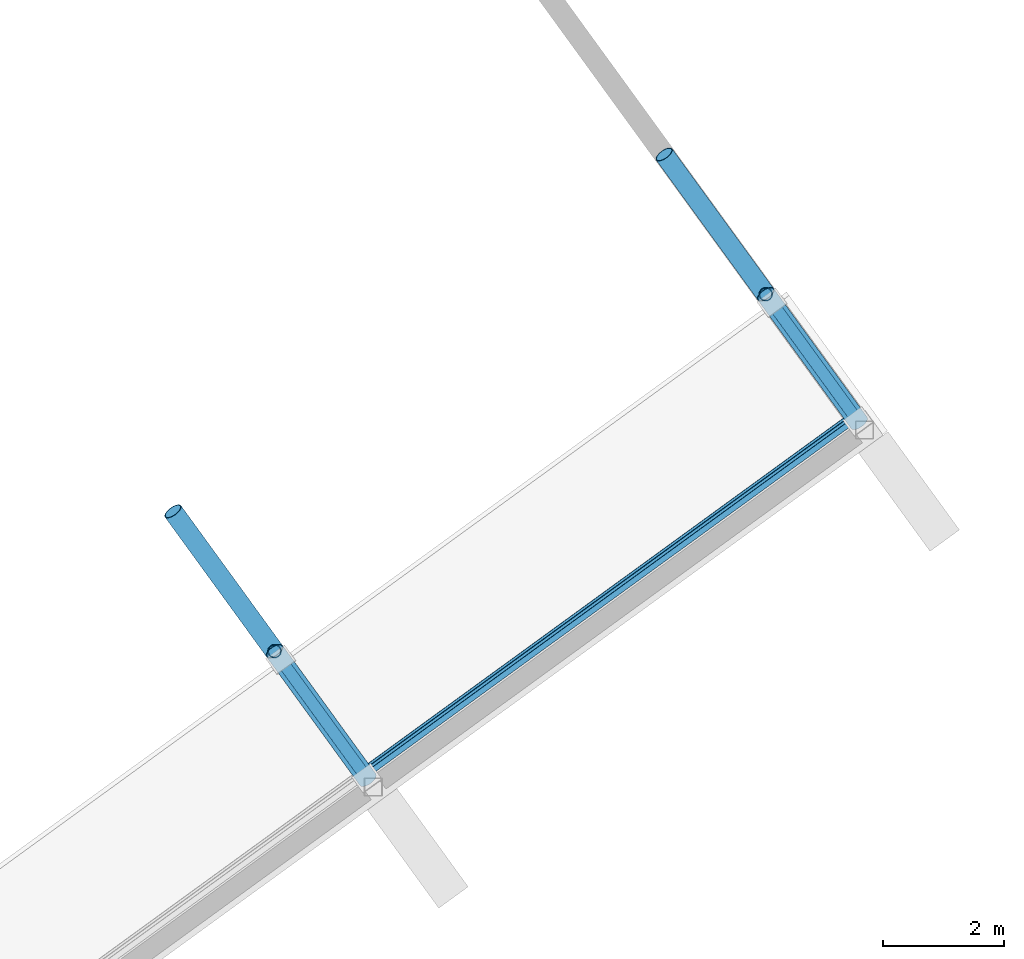
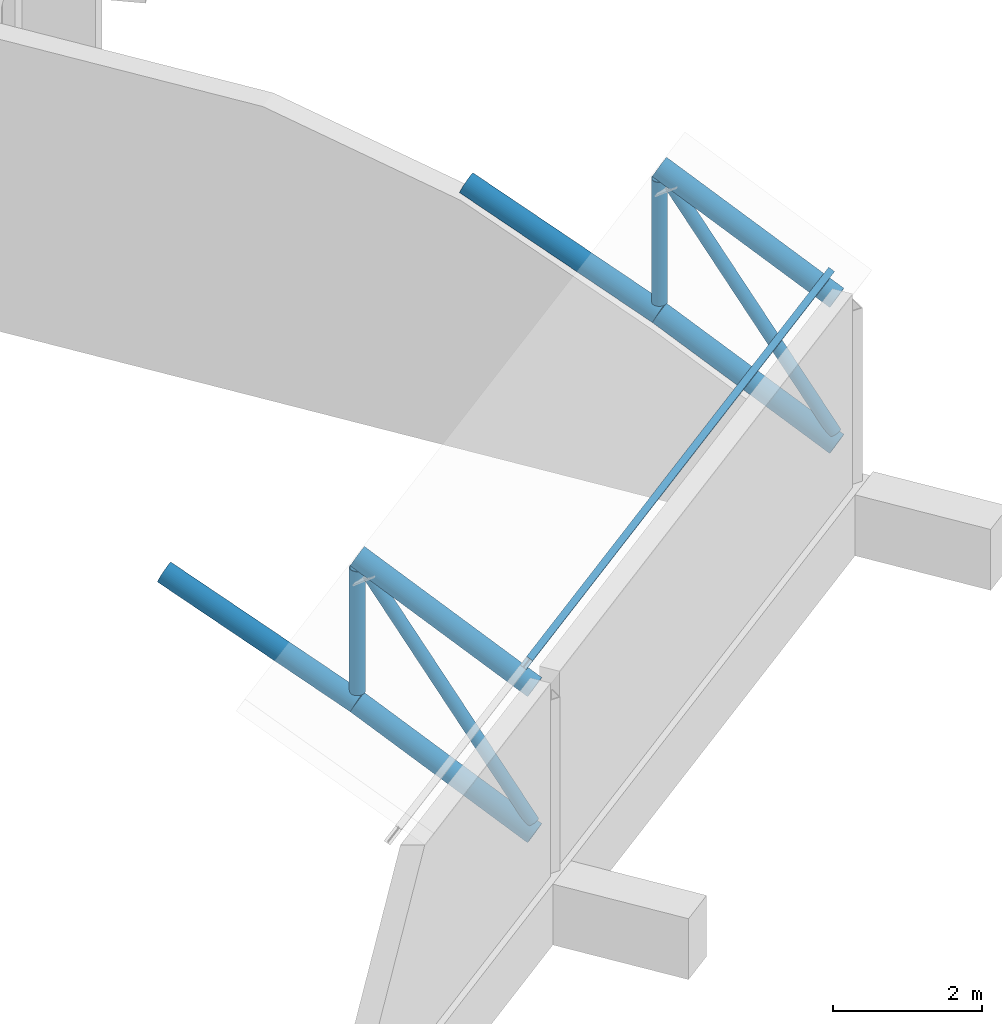
# One storey, part 101 of 196: 10 members, 1 beam.
"""IFC4 building model written with IfcOpenShell, lengths in metres."""

from ifc_helpers import new_model, si_unit, direction, frame, origin, origin_2d, place, context, subcontext, project, spatial, hollow_circle, i_section, extrude, material, material_profile, profile_set, type_object, element, save


model = new_model("IFC4")

# Units and contexts
model_context = context("Model", 3, precision=1e-05, world=origin(), true_north=direction((0.0, 1.0)))
body_context = subcontext(model_context, "Body", "Model", "MODEL_VIEW")
ifc_project = project(units=[si_unit("LENGTHUNIT", "METRE"), si_unit("AREAUNIT", "SQUARE_METRE"), si_unit("VOLUMEUNIT", "CUBIC_METRE"), si_unit("PLANEANGLEUNIT", "RADIAN"), si_unit("MASSUNIT", "GRAM", prefix="KILO")], contexts=[model_context])

# Site, building, storey
site_placement = place(None, origin())
site = spatial("IfcSite", under=ifc_project, at=site_placement, CompositionType="ELEMENT")
building_placement = place(site_placement, origin())
building = spatial("IfcBuilding", under=site, at=building_placement, Name="Okhra Congress Centre", CompositionType="ELEMENT")
storey_placement = place(building_placement, frame((0.0, 0.0, 12.0)))
storey = spatial("IfcBuildingStorey", under=building, at=storey_placement, Name="L02", CompositionType="ELEMENT", Elevation=12.0)

# Members
ifc_material_1 = material(Name="Steel S355J2H", Category="steel")
ifc_material_profile_1 = material_profile(ifc_material_1, hollow_circle(Radius=0.096923828125, WallThickness=0.010009765625, at=origin_2d()), Name="CHS 193.7x10")
ifc_profile_set_1 = profile_set([ifc_material_profile_1], Name="Steel S355J2H")
member_type_1 = type_object("IfcMemberType", Name="CHS 193.7x10", PredefinedType="BRACE", material=ifc_profile_set_1)
for number, where, z_axis, x_axis, name in (
    (1, (270.154541015625, 185.645263671875, 1.705810546875), (-0.340502941474, 0.468589053149, 0.81515768175), (-0.808973427279, -0.587845212583, 0.0), "Truss 6 diagonal 1"),
    (2, (278.24462890625, 191.52294921875, 1.705810546875), (-0.340441482182, 0.468644406713, 0.815151530248), (-0.809056898295, -0.587730325338, 0.0), "Truss 7 diagonal 1"),
):
    element("IfcMember", number, at=place(storey_placement, frame(where, z_axis=z_axis, x_axis=x_axis)), inside=storey, type_object=member_type_1, Name=name, PredefinedType="BRACE", context=body_context, shape_type="SweptSolid", body=[
        extrude(hollow_circle(Radius=0.096923828125, WallThickness=0.010009765625, at=origin_2d()), origin(), (0.0, 0.0, 1.0), 4.145751953125),
    ])
ifc_material_profile_2 = material_profile(ifc_material_1, hollow_circle(Radius=0.109619140625, WallThickness=0.008056640625, at=origin_2d()), Name="CHS 219.1x8")
ifc_profile_set_2 = profile_set([ifc_material_profile_2], Name="Steel S355J2H")
member_type_2 = type_object("IfcMemberType", Name="CHS 219.1x8", PredefinedType="POST", material=ifc_profile_set_2)
for number, where, z_axis, x_axis, name in (
    (3, (268.63623046875, 187.73486328125, 3.1240234375), (0.0, 0.0, 1.0), (1.0, 0.0, 0.0), "Truss 6 post 1"),
    (4, (276.726318359375, 193.61279296875, 3.1240234375), (0.0, 0.0, 1.0), (1.0, 0.0, 0.0), "Truss 7 post 1"),
):
    element("IfcMember", number, at=place(storey_placement, frame(where, z_axis=z_axis, x_axis=x_axis)), inside=storey, type_object=member_type_2, Name=name, PredefinedType="POST", context=body_context, shape_type="SweptSolid", body=[
        extrude(hollow_circle(Radius=0.109619140625, WallThickness=0.008056640625, at=origin_2d()), origin(), (0.0, 0.0, 1.0), 2.033447265625),
    ])
ifc_material_profile_3 = material_profile(ifc_material_1, hollow_circle(Radius=0.161865234375, WallThickness=0.012451171875, at=origin_2d()), Name="CHS 323.9x12.5")
ifc_profile_set_3 = profile_set([ifc_material_profile_3], Name="Steel S355J2H")
member_type_3 = type_object("IfcMemberType", Name="CHS 323.9x12.5", PredefinedType="CHORD", material=ifc_profile_set_3)
for number, where, z_axis, x_axis, name in (
    (5, (270.173095703125, 185.619384765625, 1.53076171875), (-0.517341175143, 0.71211458024, 0.474606082041), (-0.809038794154, -0.587755246301, 0.0), "Truss 6 bottom chord 1"),
    (6, (270.173095703125, 185.619384765625, 3.930908203125), (-0.517341175143, 0.71211458024, 0.474606082041), (-0.809038794154, -0.587755246301, 0.0), "Truss 6 top chord 1"),
):
    element("IfcMember", number, at=place(storey_placement, frame(where, z_axis=z_axis, x_axis=x_axis)), inside=storey, type_object=member_type_3, Name=name, PredefinedType="CHORD", context=body_context, shape_type="SweptSolid", body=[
        extrude(hollow_circle(Radius=0.161865234375, WallThickness=0.012451171875, at=origin_2d()), origin(), (0.0, 0.0, 1.0), 2.970703125),
    ])
member_1_placement = place(storey_placement, frame((268.63623046875, 187.73486328125, 2.940673828125), z_axis=(-0.532696866834, 0.733215967568, 0.422644523175), x_axis=(-0.809025240298, -0.587773902586, 0.0)))
element("IfcMember", 7, at=member_1_placement, inside=storey, type_object=member_type_3, Name="Truss 6 bottom chord 2", PredefinedType="CHORD", context=body_context, shape_type="SweptSolid", body=[
    extrude(hollow_circle(Radius=0.161865234375, WallThickness=0.012451171875, at=origin_2d()), origin(), (0.0, 0.0, 1.0), 3.141357421875),
])
for number, where, z_axis, x_axis, name in (
    (8, (278.263427734375, 191.497314453125, 1.53076171875), (-0.517401358597, 0.712084303088, 0.474585903097), (-0.808994395952, -0.587816355096, 0.0), "Truss 7 bottom chord 1"),
    (9, (278.263427734375, 191.497314453125, 3.930908203125), (-0.517401358597, 0.712084303088, 0.474585903097), (-0.808994395952, -0.587816355096, 0.0), "Truss 7 top chord 1"),
):
    element("IfcMember", number, at=place(storey_placement, frame(where, z_axis=z_axis, x_axis=x_axis)), inside=storey, type_object=member_type_3, Name=name, PredefinedType="CHORD", context=body_context, shape_type="SweptSolid", body=[
        extrude(hollow_circle(Radius=0.161865234375, WallThickness=0.012451171875, at=origin_2d()), origin(), (0.0, 0.0, 1.0), 2.970947265625),
    ])
member_2_placement = place(storey_placement, frame((276.726318359375, 193.61279296875, 2.940673828125), z_axis=(-0.532696866834, 0.733215967568, 0.422644523175), x_axis=(-0.809025240298, -0.587773902586, 0.0)))
element("IfcMember", 10, at=member_2_placement, inside=storey, type_object=member_type_3, Name="Truss 7 bottom chord 2", PredefinedType="CHORD", context=body_context, shape_type="SweptSolid", body=[
    extrude(hollow_circle(Radius=0.161865234375, WallThickness=0.012451171875, at=origin_2d()), origin(), (0.0, 0.0, 1.0), 3.141357421875),
])

# Beam
ifc_material_2 = material(Name="Steel S355J2", Category="steel")
ifc_material_profile_4 = material_profile(ifc_material_2, i_section(OverallWidth=0.10009765625, OverallDepth=0.199951171875, WebThickness=0.005615234375, FlangeThickness=0.008544921875, FilletRadius=0.011962890625, at=origin_2d()), Name="IPE 200")
ifc_profile_set_4 = profile_set([ifc_material_profile_4], Name="Steel S355J2")
beam_type = type_object("IfcBeamType", Name="IPE 200", PredefinedType="BEAM", material=ifc_profile_set_4)
beam_placement = place(storey_placement, frame((270.100830078125, 185.71923828125, 4.29150390625), z_axis=(0.809022099746, 0.587778225288, 0.0), x_axis=(-0.517363211606, 0.712102377694, 0.474600369743)))
element("IfcBeam", 11, at=beam_placement, inside=storey, type_object=beam_type, Name="Purlin 1.6", PredefinedType="BEAM", context=body_context, shape_type="SweptSolid", body=[
    extrude(i_section(OverallWidth=0.10009765625, OverallDepth=0.199951171875, WebThickness=0.005615234375, FlangeThickness=0.008544921875, FilletRadius=0.011962890625, at=origin_2d()), origin(), (0.0, 0.0, 1.0), 9.999755859375),
])

save(model, "model.ifc")
